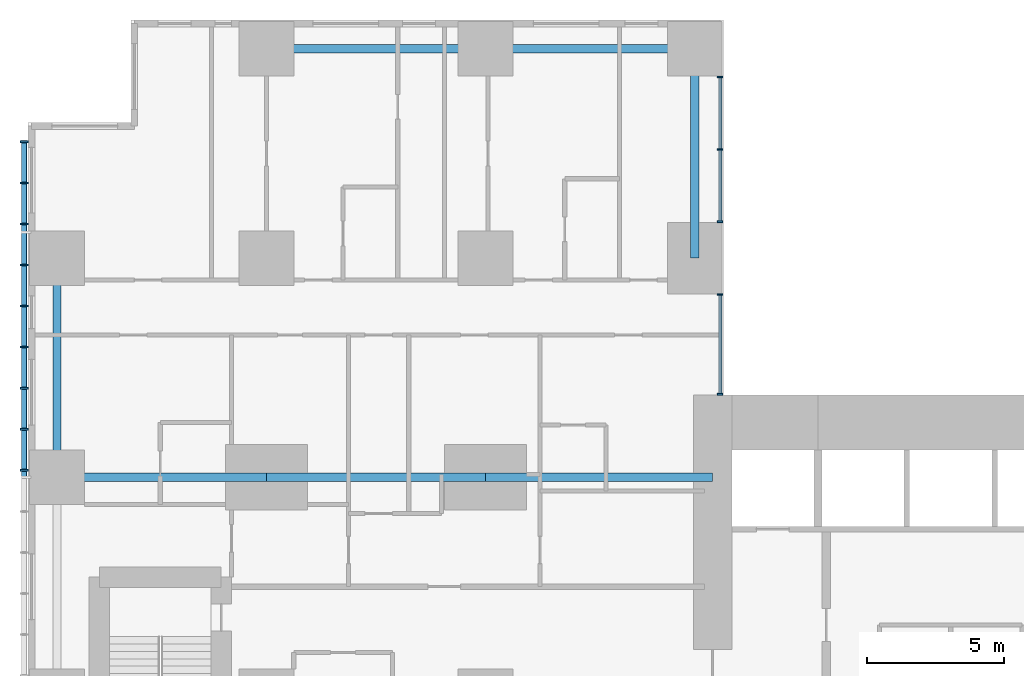
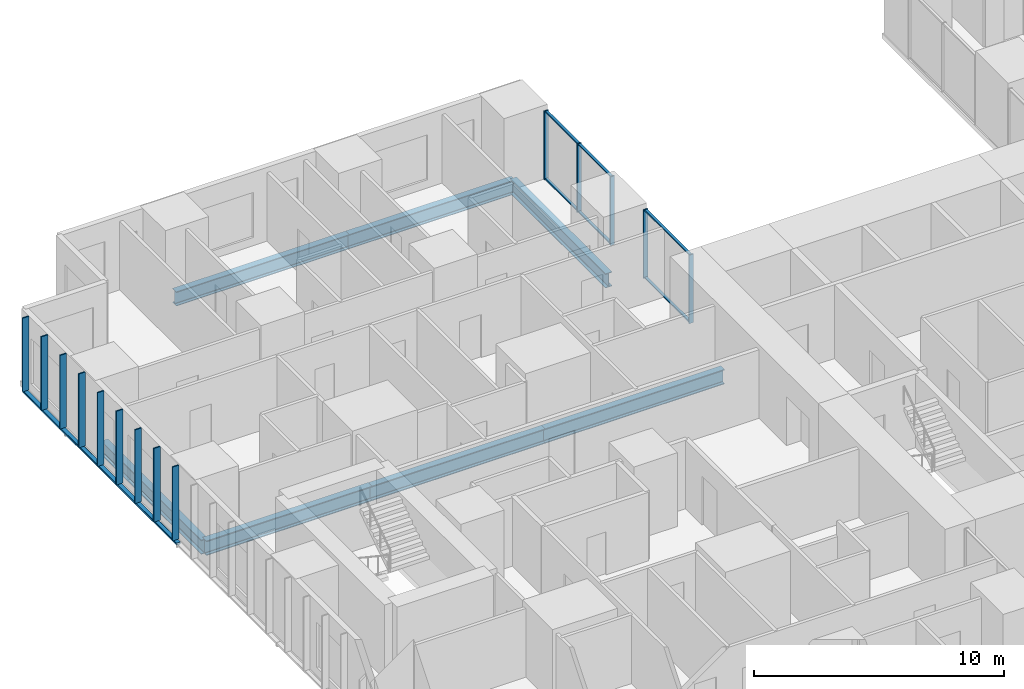
# One storey, part 4 of 21: 21 members, 7 beams, 2 elements without a shape of their own.
"""IFC4 building model written with IfcOpenShell, lengths in metres."""

from ifc_helpers import new_model, si_unit, direction, frame, origin, origin_2d, place, context, subcontext, project, spatial, rectangle, hollow_rectangle, i_section, extrude, material, layer, layer_set, material_profile, profile_set, type_object, element, aggregate, save


model = new_model("IFC4")

# Units and contexts
model_context = context("Model", 3, precision=1e-05, world=origin(), true_north=direction((0.0, 1.0)))
body_context = subcontext(model_context, "Body", "Model", "MODEL_VIEW")
ifc_project = project(units=[si_unit("LENGTHUNIT", "METRE"), si_unit("AREAUNIT", "SQUARE_METRE"), si_unit("VOLUMEUNIT", "CUBIC_METRE"), si_unit("PLANEANGLEUNIT", "RADIAN"), si_unit("MASSUNIT", "GRAM", prefix="KILO")], contexts=[model_context])

# Site, building, storey
site_placement = place(None, origin())
site = spatial("IfcSite", under=ifc_project, at=site_placement, CompositionType="ELEMENT")
building_placement = place(site_placement, origin())
building = spatial("IfcBuilding", under=site, at=building_placement, Name="Cleftline Residences", CompositionType="ELEMENT")
storey_placement = place(building_placement, frame((0.0, 0.0, 125.0)))
storey = spatial("IfcBuildingStorey", under=building, at=storey_placement, Name="L32", CompositionType="ELEMENT", Elevation=125.0)

# Member
ifc_material_1 = material(Name="Steel S355, hot-dip galvanised", Category="steel")
ifc_material_profile_1 = material_profile(ifc_material_1, hollow_rectangle(XDim=0.10009765625, YDim=0.199951171875, WallThickness=0.008056640625, InnerFilletRadius=0.008056640625, OuterFilletRadius=0.011962890625, at=origin_2d()))
ifc_profile_set_1 = profile_set([ifc_material_profile_1], Name="Steel S355, hot-dip galvanised")
member_type_1 = type_object("IfcMemberType", Name="BAGUETTE CARRIER RHS 200X100X8", PredefinedType="USERDEFINED", material=ifc_profile_set_1)
member_1_placement = place(storey_placement, frame((-0.85009765625, 44.300048828125, -0.050048828125), z_axis=(0.0, -1.0, 0.0), x_axis=(0.0, 0.0, 1.0)))
element("IfcMember", 1, at=member_1_placement, inside=storey, type_object=member_type_1, Name="Baguette carrier", ObjectType="BAGUETTE CARRIER", PredefinedType="USERDEFINED", context=body_context, shape_type="SweptSolid", body=[
    extrude(hollow_rectangle(XDim=0.10009765625, YDim=0.199951171875, WallThickness=0.008056640625, InnerFilletRadius=0.008056640625, OuterFilletRadius=0.011962890625, at=origin_2d()), origin(), (0.0, 0.0, 1.0), 12.300048828125),
])

# Beams
ifc_material_2 = material(Name="Steel S355", Category="steel")
ifc_material_profile_2 = material_profile(ifc_material_2, i_section(OverallWidth=0.300048828125, OverallDepth=0.699951171875, WebThickness=0.01708984375, FlangeThickness=0.031982421875, FilletRadius=0.027099609375, at=origin_2d()))
ifc_profile_set_2 = profile_set([ifc_material_profile_2], Name="Steel S355")
beam_type_1 = type_object("IfcBeamType", Name="BEAM HEB 700", PredefinedType="BEAM", material=ifc_profile_set_2)
for number, where, z_axis, x_axis, name in (
    (2, (0.35009765625, 32.0, -0.60009765625), (0.0, 1.0, 0.0), (-1.0, 0.0, 0.0), "Edge beam"),
    (3, (8.0, 47.64990234375, -0.60009765625), (1.0, 0.0, 0.0), (0.0, 1.0, 0.0), "Edge beam"),
):
    element("IfcBeam", number, at=place(storey_placement, frame(where, z_axis=z_axis, x_axis=x_axis)), inside=storey, type_object=beam_type_1, Name=name, PredefinedType="BEAM", context=body_context, shape_type="SweptSolid", body=[
        extrude(i_section(OverallWidth=0.300048828125, OverallDepth=0.699951171875, WebThickness=0.01708984375, FlangeThickness=0.031982421875, FilletRadius=0.027099609375, at=origin_2d()), origin(), (0.0, 0.0, 1.0), 8.0),
    ])
for number, where, z_axis, x_axis, name in (
    (4, (16.0, 47.64990234375, -0.60009765625), (1.0, 0.0, 0.0), (0.0, 1.0, 0.0), "Edge beam"),
    (5, (23.64990234375, 47.64990234375, -0.60009765625), (0.0, -1.0, 0.0), (1.0, 0.0, 0.0), "Edge beam"),
):
    element("IfcBeam", number, at=place(storey_placement, frame(where, z_axis=z_axis, x_axis=x_axis)), inside=storey, type_object=beam_type_1, Name=name, PredefinedType="BEAM", context=body_context, shape_type="SweptSolid", body=[
        extrude(i_section(OverallWidth=0.300048828125, OverallDepth=0.699951171875, WebThickness=0.01708984375, FlangeThickness=0.031982421875, FilletRadius=0.027099609375, at=origin_2d()), origin(), (0.0, 0.0, 1.0), 7.64990234375),
    ])
ifc_material_3 = material(Name="Steel S355", Category="steel")
ifc_material_profile_3 = material_profile(ifc_material_3, i_section(OverallWidth=0.303955078125, OverallDepth=0.716064453125, WebThickness=0.02099609375, FlangeThickness=0.0400390625, FilletRadius=0.027099609375, at=origin_2d()))
ifc_profile_set_3 = profile_set([ifc_material_profile_3], Name="Steel S355")
beam_type_2 = type_object("IfcBeamType", Name="BEAM HEM 700", PredefinedType="BEAM", material=ifc_profile_set_3)
beam_1_placement = place(storey_placement, frame((0.35009765625, 32.0, -0.60791015625), z_axis=(1.0, 0.0, 0.0), x_axis=(0.0, 1.0, 0.0)))
element("IfcBeam", 6, at=beam_1_placement, inside=storey, type_object=beam_type_2, Name="Band beam", PredefinedType="BEAM", context=body_context, shape_type="SweptSolid", body=[
    extrude(i_section(OverallWidth=0.303955078125, OverallDepth=0.716064453125, WebThickness=0.02099609375, FlangeThickness=0.0400390625, FilletRadius=0.027099609375, at=origin_2d()), origin(), (0.0, 0.0, 1.0), 7.64990234375),
])
beam_2_placement = place(storey_placement, frame((8.0, 32.0, -0.60791015625), z_axis=(1.0, 0.0, 0.0), x_axis=(0.0, 1.0, 0.0)))
element("IfcBeam", 7, at=beam_2_placement, inside=storey, type_object=beam_type_2, Name="Band beam", PredefinedType="BEAM", context=body_context, shape_type="SweptSolid", body=[
    extrude(i_section(OverallWidth=0.303955078125, OverallDepth=0.716064453125, WebThickness=0.02099609375, FlangeThickness=0.0400390625, FilletRadius=0.027099609375, at=origin_2d()), origin(), (0.0, 0.0, 1.0), 8.0),
])
beam_3_placement = place(storey_placement, frame((16.0, 32.0, -0.60791015625), z_axis=(1.0, 0.0, 0.0), x_axis=(0.0, 1.0, 0.0)))
element("IfcBeam", 8, at=beam_3_placement, inside=storey, type_object=beam_type_2, Name="Band beam", PredefinedType="BEAM", context=body_context, shape_type="SweptSolid", body=[
    extrude(i_section(OverallWidth=0.303955078125, OverallDepth=0.716064453125, WebThickness=0.02099609375, FlangeThickness=0.0400390625, FilletRadius=0.027099609375, at=origin_2d()), origin(), (0.0, 0.0, 1.0), 8.300048828125),
])

# Curtain wall, members
ifc_material_4 = material(Name="Aluminium framed curtain wall", Category="aluminium")
ifc_layer = layer(ifc_material_4, 0.199951171875)
ifc_layer_set = layer_set([ifc_layer], Name="CW1 CLEFT GLAZING")
curtain_wall_type = type_object("IfcCurtainWallType", Name="CW1 CLEFT GLAZING", PredefinedType="NOTDEFINED", material=ifc_layer_set)
curtain_wall_1_placement = place(storey_placement, origin())
curtain_wall_1 = element("IfcCurtainWall", 9, at=curtain_wall_1_placement, inside=storey, type_object=curtain_wall_type, Name="Curtain wall CW1", PredefinedType="NOTDEFINED")
ifc_material_5 = material(Name="Aluminium mullion", Category="aluminium")
ifc_material_profile_4 = material_profile(ifc_material_5, rectangle(XDim=0.199951171875, YDim=0.06005859375, at=origin_2d()))
ifc_profile_set_4 = profile_set([ifc_material_profile_4], Name="Aluminium mullion")
member_type_2 = type_object("IfcMemberType", Name="CW1 MULLION", PredefinedType="MULLION", material=ifc_profile_set_4)
member_2_placement = place(storey_placement, frame((24.574951171875, 35.030029296875, 0.0), z_axis=(0.0, 0.0, 1.0), x_axis=(-1.0, 0.0, 0.0)))
member_2 = element("IfcMember", 10, at=member_2_placement, type_object=member_type_2, Name="CW1 mullion 1", PredefinedType="MULLION", context=body_context, shape_type="SweptSolid", body=[
    extrude(rectangle(XDim=0.199951171875, YDim=0.06005859375, at=origin_2d()), origin(), (0.0, 0.0, 1.0), 3.35009765625),
])
member_3_placement = place(storey_placement, frame((24.574951171875, 38.669921875, 0.0), z_axis=(0.0, 0.0, 1.0), x_axis=(-1.0, 0.0, 0.0)))
member_3 = element("IfcMember", 11, at=member_3_placement, type_object=member_type_2, Name="CW1 mullion 2", PredefinedType="MULLION", context=body_context, shape_type="SweptSolid", body=[
    extrude(rectangle(XDim=0.199951171875, YDim=0.06005859375, at=origin_2d()), origin(), (0.0, 0.0, 1.0), 3.35009765625),
])

curtain_wall_2_placement = place(storey_placement, origin())
curtain_wall_2 = element("IfcCurtainWall", 12, at=curtain_wall_2_placement, inside=storey, type_object=curtain_wall_type, Name="Curtain wall CW1", PredefinedType="NOTDEFINED")
member_4_placement = place(storey_placement, frame((24.574951171875, 41.330078125, 0.0), z_axis=(0.0, 0.0, 1.0), x_axis=(-1.0, 0.0, 0.0)))
member_4 = element("IfcMember", 13, at=member_4_placement, type_object=member_type_2, Name="CW1 mullion 1", PredefinedType="MULLION", context=body_context, shape_type="SweptSolid", body=[
    extrude(rectangle(XDim=0.199951171875, YDim=0.06005859375, at=origin_2d()), origin(), (0.0, 0.0, 1.0), 3.35009765625),
])
member_5_placement = place(storey_placement, frame((24.574951171875, 43.97509765625, 0.0), z_axis=(0.0, 0.0, 1.0), x_axis=(-1.0, 0.0, 0.0)))
member_5 = element("IfcMember", 14, at=member_5_placement, type_object=member_type_2, Name="CW1 mullion 2", PredefinedType="MULLION", context=body_context, shape_type="SweptSolid", body=[
    extrude(rectangle(XDim=0.199951171875, YDim=0.06005859375, at=origin_2d()), origin(), (0.0, 0.0, 1.0), 3.35009765625),
])
member_6_placement = place(storey_placement, frame((24.574951171875, 46.6201171875, 0.0), z_axis=(0.0, 0.0, 1.0), x_axis=(-1.0, 0.0, 0.0)))
member_6 = element("IfcMember", 15, at=member_6_placement, type_object=member_type_2, Name="CW1 mullion 3", PredefinedType="MULLION", context=body_context, shape_type="SweptSolid", body=[
    extrude(rectangle(XDim=0.199951171875, YDim=0.06005859375, at=origin_2d()), origin(), (0.0, 0.0, 1.0), 3.35009765625),
])

# Member
ifc_material_6 = material(Name="Aluminium transom", Category="aluminium")
ifc_material_profile_5 = material_profile(ifc_material_6, rectangle(XDim=0.1201171875, YDim=0.06005859375, at=origin_2d()))
ifc_profile_set_5 = profile_set([ifc_material_profile_5], Name="Aluminium transom")
member_type_3 = type_object("IfcMemberType", Name="CW1 TRANSOM", PredefinedType="USERDEFINED", material=ifc_profile_set_5)
member_7_placement = place(storey_placement, frame((24.574951171875, 35.06005859375, 0.030029296875), z_axis=(0.0, 1.0, 0.0), x_axis=(-1.0, 0.0, 0.0)))
member_7 = element("IfcMember", 16, at=member_7_placement, type_object=member_type_3, Name="CW1 transom 1.1", ObjectType="TRANSOM", PredefinedType="USERDEFINED", context=body_context, shape_type="SweptSolid", body=[
    extrude(rectangle(XDim=0.1201171875, YDim=0.06005859375, at=origin_2d()), origin(), (0.0, 0.0, 1.0), 3.579833984375),
])

member_8_placement = place(storey_placement, frame((24.574951171875, 35.06005859375, 3.320068359375), z_axis=(0.0, 1.0, 0.0), x_axis=(-1.0, 0.0, 0.0)))
member_8 = element("IfcMember", 17, at=member_8_placement, type_object=member_type_3, Name="CW1 transom 1.2", ObjectType="TRANSOM", PredefinedType="USERDEFINED", context=body_context, shape_type="SweptSolid", body=[
    extrude(rectangle(XDim=0.1201171875, YDim=0.06005859375, at=origin_2d()), origin(), (0.0, 0.0, 1.0), 3.579833984375),
])

aggregate(curtain_wall_1, [member_2, member_3, member_7, member_8])

member_9_placement = place(storey_placement, frame((24.574951171875, 41.360107421875, 0.030029296875), z_axis=(0.0, 1.0, 0.0), x_axis=(-1.0, 0.0, 0.0)))
member_9 = element("IfcMember", 18, at=member_9_placement, type_object=member_type_3, Name="CW1 transom 1.1", ObjectType="TRANSOM", PredefinedType="USERDEFINED", context=body_context, shape_type="SweptSolid", body=[
    extrude(rectangle(XDim=0.1201171875, YDim=0.06005859375, at=origin_2d()), origin(), (0.0, 0.0, 1.0), 2.5849609375),
])

member_10_placement = place(storey_placement, frame((24.574951171875, 41.360107421875, 3.320068359375), z_axis=(0.0, 1.0, 0.0), x_axis=(-1.0, 0.0, 0.0)))
member_10 = element("IfcMember", 19, at=member_10_placement, type_object=member_type_3, Name="CW1 transom 1.2", ObjectType="TRANSOM", PredefinedType="USERDEFINED", context=body_context, shape_type="SweptSolid", body=[
    extrude(rectangle(XDim=0.1201171875, YDim=0.06005859375, at=origin_2d()), origin(), (0.0, 0.0, 1.0), 2.5849609375),
])

member_11_placement = place(storey_placement, frame((24.574951171875, 44.0048828125, 0.030029296875), z_axis=(0.0, 1.0, 0.0), x_axis=(-1.0, 0.0, 0.0)))
member_11 = element("IfcMember", 20, at=member_11_placement, type_object=member_type_3, Name="CW1 transom 2.1", ObjectType="TRANSOM", PredefinedType="USERDEFINED", context=body_context, shape_type="SweptSolid", body=[
    extrude(rectangle(XDim=0.1201171875, YDim=0.06005859375, at=origin_2d()), origin(), (0.0, 0.0, 1.0), 2.585205078125),
])

member_12_placement = place(storey_placement, frame((24.574951171875, 44.0048828125, 3.320068359375), z_axis=(0.0, 1.0, 0.0), x_axis=(-1.0, 0.0, 0.0)))
member_12 = element("IfcMember", 21, at=member_12_placement, type_object=member_type_3, Name="CW1 transom 2.2", ObjectType="TRANSOM", PredefinedType="USERDEFINED", context=body_context, shape_type="SweptSolid", body=[
    extrude(rectangle(XDim=0.1201171875, YDim=0.06005859375, at=origin_2d()), origin(), (0.0, 0.0, 1.0), 2.585205078125),
])

aggregate(curtain_wall_2, [member_4, member_5, member_6, member_9, member_10, member_11, member_12])

# Members
ifc_material_7 = material(Name="Extruded terracotta", Category="masonry")
ifc_material_profile_6 = material_profile(ifc_material_7, rectangle(XDim=0.06005859375, YDim=0.300048828125, at=origin_2d()))
ifc_profile_set_6 = profile_set([ifc_material_profile_6], Name="Extruded terracotta")
member_type_4 = type_object("IfcMemberType", Name="TERRACOTTA BAGUETTE 60X300", PredefinedType="USERDEFINED", material=ifc_profile_set_6)
for number, where, z_axis, x_axis, name in (
    (22, (-0.85009765625, 44.25, 0.0), (0.0, 0.0, 1.0), (0.0, 1.0, 0.0), "Terracotta baguette"),
    (23, (-0.85009765625, 42.75, 0.0), (0.0, 0.0, 1.0), (0.0, 1.0, 0.0), "Terracotta baguette"),
    (24, (-0.85009765625, 41.25, 0.0), (0.0, 0.0, 1.0), (0.0, 1.0, 0.0), "Terracotta baguette"),
    (25, (-0.85009765625, 39.75, 0.0), (0.0, 0.0, 1.0), (0.0, 1.0, 0.0), "Terracotta baguette"),
    (26, (-0.85009765625, 38.25, 0.0), (0.0, 0.0, 1.0), (0.0, 1.0, 0.0), "Terracotta baguette"),
    (27, (-0.85009765625, 36.75, 0.0), (0.0, 0.0, 1.0), (0.0, 1.0, 0.0), "Terracotta baguette"),
    (28, (-0.85009765625, 35.25, 0.0), (0.0, 0.0, 1.0), (0.0, 1.0, 0.0), "Terracotta baguette"),
    (29, (-0.85009765625, 33.75, 0.0), (0.0, 0.0, 1.0), (0.0, 1.0, 0.0), "Terracotta baguette"),
    (30, (-0.85009765625, 32.25, 0.0), (0.0, 0.0, 1.0), (0.0, 1.0, 0.0), "Terracotta baguette"),
):
    element("IfcMember", number, at=place(storey_placement, frame(where, z_axis=z_axis, x_axis=x_axis)), inside=storey, type_object=member_type_4, Name=name, ObjectType="BAGUETTE", PredefinedType="USERDEFINED", context=body_context, shape_type="SweptSolid", body=[
        extrude(rectangle(XDim=0.06005859375, YDim=0.300048828125, at=origin_2d()), origin(), (0.0, 0.0, 1.0), 3.60009765625),
    ])

save(model, "model.ifc")
